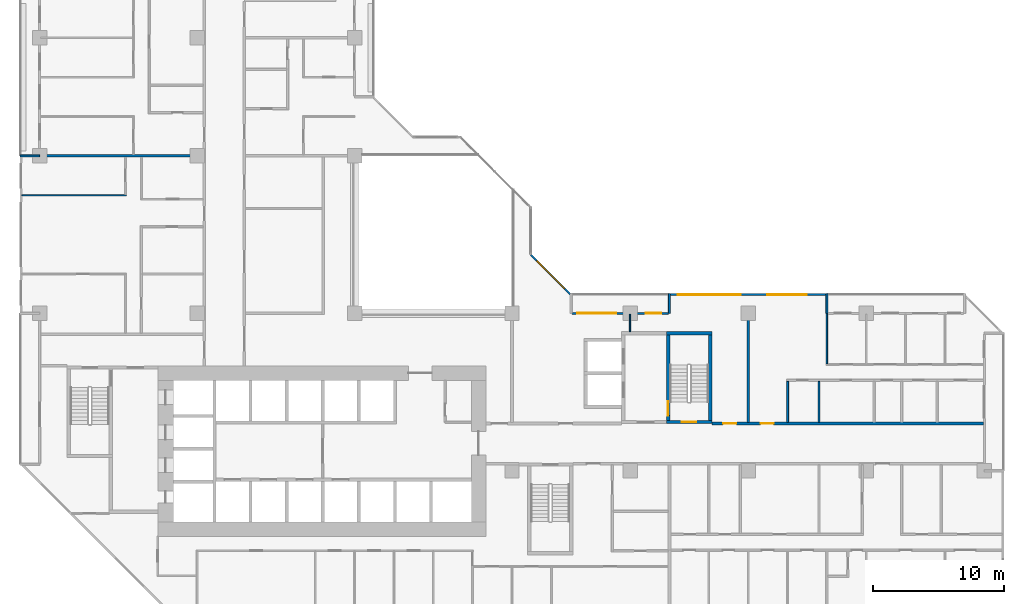
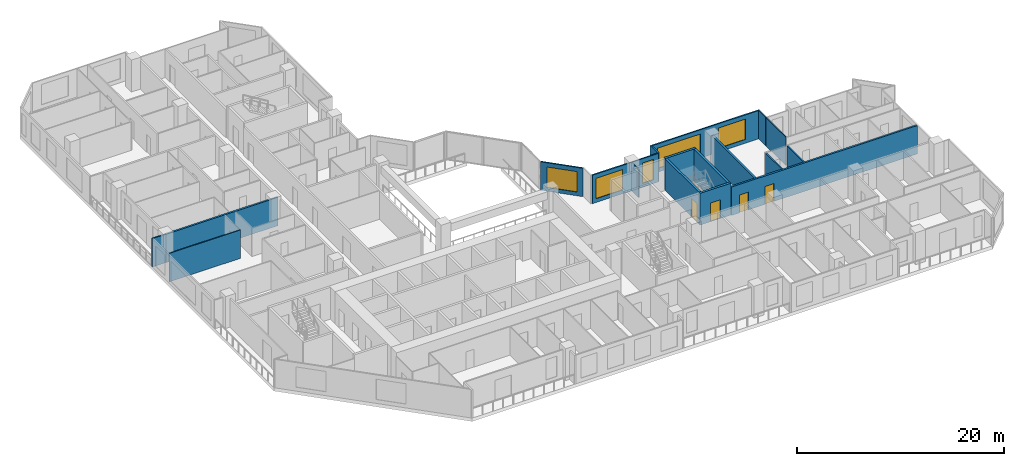
# One storey, part 8 of 16: 18 walls, 5 windows, 4 doors, 9 openings.
"""IFC4 building model written with IfcOpenShell, lengths in metres."""

from ifc_helpers import new_model, si_unit, direction, frame, frame_2d, origin, place, context, subcontext, project, spatial, rectangle, extrude, material, layer, layer_set, type_object, element, fill, save


model = new_model("IFC4")

# Units and contexts
model_context = context("Model", 3, precision=1e-05, world=origin(), true_north=direction((0.0, 1.0)))
body_context = subcontext(model_context, "Body", "Model", "MODEL_VIEW")
ifc_project = project(units=[si_unit("LENGTHUNIT", "METRE"), si_unit("AREAUNIT", "SQUARE_METRE"), si_unit("VOLUMEUNIT", "CUBIC_METRE"), si_unit("PLANEANGLEUNIT", "RADIAN"), si_unit("MASSUNIT", "GRAM", prefix="KILO")], contexts=[model_context])

# Site, building, storey
site_placement = place(None, origin())
site = spatial("IfcSite", under=ifc_project, at=site_placement, CompositionType="ELEMENT")
building_placement = place(site_placement, origin())
building = spatial("IfcBuilding", under=site, at=building_placement, Name="Chenar Terraces", CompositionType="ELEMENT")
storey_placement = place(building_placement, frame((0.0, 0.0, 75.14990234375)))
storey = spatial("IfcBuildingStorey", under=building, at=storey_placement, Name="L16", CompositionType="ELEMENT", Elevation=75.14990234375)

# Wall, opening, door
ifc_material_1 = material(Name="Concrete C70/85", Category="concrete")
ifc_layer_1 = layer(ifc_material_1, 0.25)
ifc_layer_set_1 = layer_set([ifc_layer_1], Name="Concrete C70/85")
wall_type_1 = type_object("IfcWallType", Name="Core wall 250 Concrete C70/85", PredefinedType="SHEAR", material=ifc_layer_set_1)
wall_1_placement = place(storey_placement, frame((47.77490234375, 15.72509765625, 0.0), z_axis=(0.0, 0.0, 1.0), x_axis=(1.0, 0.0, 0.0)))
wall_1 = element("IfcWall", 1, at=wall_1_placement, inside=storey, type_object=wall_type_1, Name="Core wall ST3_S L16", PredefinedType="SHEAR", context=body_context, shape_type="SweptSolid", body=[
    extrude(rectangle(XDim=3.4501953125, YDim=0.25, at=frame_2d((1.72509765625, 0.0))), origin(), (0.0, 0.0, 1.0), 3.75),
])
opening_1_placement = place(wall_1_placement, frame((1.175048828125, 0.0, 0.0)))
opening_1 = element("IfcOpeningElement", 2, at=opening_1_placement, cuts=wall_1, Name="Opening DL16-C8", PredefinedType="OPENING", context=body_context, shape_type="SweptSolid", body=[
    extrude(rectangle(XDim=1.10009765625, YDim=2.199951171875, at=frame_2d((0.550048828125, 1.10009765625))), frame((0.0, 0.135009765625, 0.0), z_axis=(0.0, -1.0, 0.0), x_axis=(1.0, 0.0, 0.0)), (0.0, 0.0, 1.0), 0.27001953125),
])
ifc_material_2 = material(Name="Steel-framed fire-resisting door leaf", Category="steel")
door_type_1 = type_object("IfcDoorType", Name="Stair fire door FD60 1100 x 2200", OperationType="SINGLE_SWING_LEFT", PredefinedType="DOOR", material=ifc_material_2)
door_1_placement = place(opening_1_placement, frame((1.10009765625, 0.0, 0.0), z_axis=(0.0, 0.0, 1.0), x_axis=(-1.0, 0.0, 0.0)))
door_1 = element("IfcDoor", 3, at=door_1_placement, inside=storey, type_object=door_type_1, Name="Stair door DL16-C8", OperationType="SINGLE_SWING_LEFT", OverallHeight=2.199951171875, OverallWidth=1.10009765625, PredefinedType="DOOR", context=body_context, shape_type="SweptSolid", body=[
    extrude(rectangle(XDim=1.10009765625, YDim=2.199951171875, at=frame_2d((0.550048828125, 1.10009765625))), frame((0.0, 0.02490234375, 0.0), z_axis=(0.0, -1.0, 0.0), x_axis=(1.0, 0.0, 0.0)), (0.0, 0.0, 1.0), 0.050048828125),
])
fill(opening_1, door_1)

# Wall
wall_2_placement = place(storey_placement, frame((47.77490234375, 22.47509765625, 0.0), z_axis=(0.0, 0.0, 1.0), x_axis=(1.0, 0.0, 0.0)))
element("IfcWall", 4, at=wall_2_placement, inside=storey, type_object=wall_type_1, Name="Core wall ST3_N L16", PredefinedType="SHEAR", context=body_context, shape_type="SweptSolid", body=[
    extrude(rectangle(XDim=3.4501953125, YDim=0.25, at=frame_2d((1.72509765625, 0.0))), origin(), (0.0, 0.0, 1.0), 3.75),
])

# Wall, opening, door
wall_3_placement = place(storey_placement, frame((47.89990234375, 15.85009765625, 0.0), z_axis=(0.0, 0.0, 1.0), x_axis=(0.0, 1.0, 0.0)))
wall_3 = element("IfcWall", 5, at=wall_3_placement, inside=storey, type_object=wall_type_1, Name="Core wall ST3_W L16", PredefinedType="SHEAR", context=body_context, shape_type="SweptSolid", body=[
    extrude(rectangle(XDim=6.5, YDim=0.25, at=frame_2d((3.25, 0.0))), origin(), (0.0, 0.0, 1.0), 3.75),
])
opening_2_placement = place(wall_3_placement, frame((0.35009765625, 0.0, 0.0)))
opening_2 = element("IfcOpeningElement", 6, at=opening_2_placement, cuts=wall_3, Name="Opening DL16-C11", PredefinedType="OPENING", context=body_context, shape_type="SweptSolid", body=[
    extrude(rectangle(XDim=1.10009765625, YDim=2.199951171875, at=frame_2d((0.550048828125, 1.10009765625))), frame((0.0, 0.135009765625, 0.0), z_axis=(0.0, -1.0, 0.0), x_axis=(1.0, 0.0, 0.0)), (0.0, 0.0, 1.0), 0.27001953125),
])
door_2_placement = place(opening_2_placement, frame((1.10009765625, 0.0, 0.0), z_axis=(0.0, 0.0, 1.0), x_axis=(-1.0, 0.0, 0.0)))
door_2 = element("IfcDoor", 7, at=door_2_placement, inside=storey, type_object=door_type_1, Name="Stair door DL16-C11", OperationType="SINGLE_SWING_RIGHT", OverallHeight=2.199951171875, OverallWidth=1.10009765625, PredefinedType="DOOR", context=body_context, shape_type="SweptSolid", body=[
    extrude(rectangle(XDim=1.10009765625, YDim=2.199951171875, at=frame_2d((0.550048828125, 1.10009765625))), frame((0.0, 0.02490234375, 0.0), z_axis=(0.0, -1.0, 0.0), x_axis=(1.0, 0.0, 0.0)), (0.0, 0.0, 1.0), 0.050048828125),
])
fill(opening_2, door_2)

# Wall
wall_4_placement = place(storey_placement, frame((51.10009765625, 15.85009765625, 0.0), z_axis=(0.0, 0.0, 1.0), x_axis=(0.0, 1.0, 0.0)))
element("IfcWall", 8, at=wall_4_placement, inside=storey, type_object=wall_type_1, Name="Core wall ST3_E L16", PredefinedType="SHEAR", context=body_context, shape_type="SweptSolid", body=[
    extrude(rectangle(XDim=6.5, YDim=0.25, at=frame_2d((3.25, 0.0))), origin(), (0.0, 0.0, 1.0), 3.75),
])

# Wall, openings, doors
ifc_material_3 = material(Name="Gypsum board on steel studs with fire boards", Category="steel")
ifc_layer_2 = layer(ifc_material_3, 0.199951171875)
ifc_layer_set_2 = layer_set([ifc_layer_2], Name="Gypsum board on steel studs with fire boards")
wall_type_2 = type_object("IfcWallType", Name="Corridor wall 200", PredefinedType="PARTITIONING", material=ifc_layer_set_2)
wall_5_placement = place(storey_placement, frame((51.22509765625, 15.60009765625, 0.0), z_axis=(0.0, 0.0, 1.0), x_axis=(1.0, 0.0, 0.0)))
wall_5 = element("IfcWall", 9, at=wall_5_placement, inside=storey, type_object=wall_type_2, Name="Partition L16-079", PredefinedType="PARTITIONING", context=body_context, shape_type="SweptSolid", body=[
    extrude(rectangle(XDim=20.700927734375, YDim=0.199951171875, at=frame_2d((10.3505859375, 0.0))), origin(), (0.0, 0.0, 1.0), 3.35009765625),
])
opening_3_placement = place(wall_5_placement, frame((3.72509765625, 0.0, 0.0)))
opening_3 = element("IfcOpeningElement", 10, at=opening_3_placement, cuts=wall_5, Name="Opening DL16-10", PredefinedType="OPENING", context=body_context, shape_type="SweptSolid", body=[
    extrude(rectangle(XDim=1.0, YDim=2.10009765625, at=frame_2d((0.5, 1.050048828125))), frame((0.0, 0.10986328125, 0.0), z_axis=(0.0, -1.0, 0.0), x_axis=(1.0, 0.0, 0.0)), (0.0, 0.0, 1.0), 0.219970703125),
])
opening_4_placement = place(wall_5_placement, frame((0.875, 0.0, 0.0)))
opening_4 = element("IfcOpeningElement", 11, at=opening_4_placement, cuts=wall_5, Name="Opening DL16-55", PredefinedType="OPENING", context=body_context, shape_type="SweptSolid", body=[
    extrude(rectangle(XDim=1.0, YDim=2.10009765625, at=frame_2d((0.5, 1.050048828125))), frame((0.0, 0.10986328125, 0.0), z_axis=(0.0, -1.0, 0.0), x_axis=(1.0, 0.0, 0.0)), (0.0, 0.0, 1.0), 0.219970703125),
])
ifc_material_4 = material(Name="Steel-framed fire-resisting door leaf", Category="steel")
door_type_2 = type_object("IfcDoorType", Name="Fire door FD30S 1000 x 2100", OperationType="SINGLE_SWING_LEFT", PredefinedType="DOOR", material=ifc_material_4)
door_3_placement = place(opening_3_placement, origin())
door_3 = element("IfcDoor", 12, at=door_3_placement, inside=storey, type_object=door_type_2, Name="Door DL16-10", OperationType="SINGLE_SWING_LEFT", OverallHeight=2.10009765625, OverallWidth=1.0, PredefinedType="DOOR", context=body_context, shape_type="SweptSolid", body=[
    extrude(rectangle(XDim=1.0, YDim=2.10009765625, at=frame_2d((0.5, 1.050048828125))), frame((0.0, 0.02490234375, 0.0), z_axis=(0.0, -1.0, 0.0), x_axis=(1.0, 0.0, 0.0)), (0.0, 0.0, 1.0), 0.050048828125),
])
fill(opening_3, door_3)
door_4_placement = place(opening_4_placement, origin())
door_4 = element("IfcDoor", 13, at=door_4_placement, inside=storey, type_object=door_type_2, Name="Door DL16-55", OperationType="SINGLE_SWING_RIGHT", OverallHeight=2.10009765625, OverallWidth=1.0, PredefinedType="DOOR", context=body_context, shape_type="SweptSolid", body=[
    extrude(rectangle(XDim=1.0, YDim=2.10009765625, at=frame_2d((0.5, 1.050048828125))), frame((0.0, 0.02490234375, 0.0), z_axis=(0.0, -1.0, 0.0), x_axis=(1.0, 0.0, 0.0)), (0.0, 0.0, 1.0), 0.050048828125),
])
fill(opening_4, door_4)

# Wall, openings, windows
ifc_material_5 = material(Name="Aluminium framed glazing", Category="aluminium")
ifc_layer_3 = layer(ifc_material_5, 0.14990234375)
ifc_layer_set_3 = layer_set([ifc_layer_3], Name="Aluminium framed glazing")
wall_type_3 = type_object("IfcWallType", Name="Glazed flush facade wall 150", PredefinedType="SOLIDWALL", material=ifc_layer_set_3)
wall_6_placement = place(storey_placement, frame((59.925048828125, 25.425048828125, 0.0), z_axis=(0.0, 0.0, 1.0), x_axis=(-1.0, 0.0, 0.0)))
wall_6 = element("IfcWall", 14, at=wall_6_placement, inside=storey, type_object=wall_type_3, Name="Glazed flush facade wall", PredefinedType="SOLIDWALL", context=body_context, shape_type="SweptSolid", body=[
    extrude(rectangle(XDim=11.85009765625, YDim=0.14990234375, at=frame_2d((5.925048828125, 0.0))), origin(), (0.0, 0.0, 1.0), 3.35009765625),
])
opening_5_placement = place(wall_6_placement, frame((1.46240234375, 0.0, 0.449951171875)))
opening_5 = element("IfcOpeningElement", 15, at=opening_5_placement, cuts=wall_6, Name="Opening W300x240", PredefinedType="OPENING", context=body_context, shape_type="SweptSolid", body=[
    extrude(rectangle(XDim=3.0, YDim=2.39990234375, at=frame_2d((1.5, 1.199951171875))), frame((0.0, 0.0849609375, 0.0), z_axis=(0.0, -1.0, 0.0), x_axis=(1.0, 0.0, 0.0)), (0.0, 0.0, 1.0), 0.169921875),
])
opening_6_placement = place(wall_6_placement, frame((6.487548828125, 0.0, 0.449951171875)))
opening_6 = element("IfcOpeningElement", 16, at=opening_6_placement, cuts=wall_6, Name="Opening W480x240", PredefinedType="OPENING", context=body_context, shape_type="SweptSolid", body=[
    extrude(rectangle(XDim=4.800048828125, YDim=2.39990234375, at=frame_2d((2.39990234375, 1.199951171875))), frame((0.0, 0.0849609375, 0.0), z_axis=(0.0, -1.0, 0.0), x_axis=(1.0, 0.0, 0.0)), (0.0, 0.0, 1.0), 0.169921875),
])
ifc_material_6 = material(Name="Low emissivity double glazing, aluminium frame", Category="aluminium")
window_type_1 = type_object("IfcWindowType", Name="Fixed light 3000 x 2400", PartitioningType="SINGLE_PANEL", PredefinedType="WINDOW", material=ifc_material_6)
window_1_placement = place(opening_5_placement, origin())
window_1 = element("IfcWindow", 17, at=window_1_placement, inside=storey, type_object=window_type_1, Name="Window", OverallHeight=2.39990234375, OverallWidth=3.0, PartitioningType="SINGLE_PANEL", PredefinedType="WINDOW", context=body_context, shape_type="SweptSolid", body=[
    extrude(rectangle(XDim=3.0, YDim=2.39990234375, at=frame_2d((1.5, 1.199951171875))), frame((0.0, 0.030029296875, 0.0), z_axis=(0.0, -1.0, 0.0), x_axis=(1.0, 0.0, 0.0)), (0.0, 0.0, 1.0), 0.06005859375),
])
fill(opening_5, window_1)
ifc_material_7 = material(Name="Low emissivity double glazing, aluminium frame", Category="aluminium")
window_type_2 = type_object("IfcWindowType", Name="Fixed light 4800 x 2400", PartitioningType="SINGLE_PANEL", PredefinedType="WINDOW", material=ifc_material_7)
window_2_placement = place(opening_6_placement, origin())
window_2 = element("IfcWindow", 18, at=window_2_placement, inside=storey, type_object=window_type_2, Name="Window", OverallHeight=2.39990234375, OverallWidth=4.800048828125, PartitioningType="SINGLE_PANEL", PredefinedType="WINDOW", context=body_context, shape_type="SweptSolid", body=[
    extrude(rectangle(XDim=4.800048828125, YDim=2.39990234375, at=frame_2d((2.39990234375, 1.199951171875))), frame((0.0, 0.030029296875, 0.0), z_axis=(0.0, -1.0, 0.0), x_axis=(1.0, 0.0, 0.0)), (0.0, 0.0, 1.0), 0.06005859375),
])
fill(opening_6, window_2)

ifc_material_8 = material(Name="Aluminium framed glazing", Category="aluminium")
ifc_layer_4 = layer(ifc_material_8, 0.14990234375)
ifc_layer_set_4 = layer_set([ifc_layer_4], Name="Aluminium framed glazing")
wall_type_4 = type_object("IfcWallType", Name="Glazed loggia back wall 150", PredefinedType="SOLIDWALL", material=ifc_layer_set_4)
wall_7_placement = place(storey_placement, frame((47.925048828125, 24.0, 0.0), z_axis=(0.0, 0.0, 1.0), x_axis=(-1.0, 0.0, 0.0)))
wall_7 = element("IfcWall", 19, at=wall_7_placement, inside=storey, type_object=wall_type_4, Name="Glazed loggia back wall", PredefinedType="SOLIDWALL", context=body_context, shape_type="SweptSolid", body=[
    extrude(rectangle(XDim=7.35009765625, YDim=0.14990234375, at=frame_2d((3.675048828125, 0.0))), origin(), (0.0, 0.0, 1.0), 3.35009765625),
])
opening_7_placement = place(wall_7_placement, frame((0.53759765625, 0.0, 0.449951171875)))
opening_7 = element("IfcOpeningElement", 20, at=opening_7_placement, cuts=wall_7, Name="Opening W120x240", PredefinedType="OPENING", context=body_context, shape_type="SweptSolid", body=[
    extrude(rectangle(XDim=1.199951171875, YDim=2.39990234375, at=frame_2d((0.60009765625, 1.199951171875))), frame((0.0, 0.0849609375, 0.0), z_axis=(0.0, -1.0, 0.0), x_axis=(1.0, 0.0, 0.0)), (0.0, 0.0, 1.0), 0.169921875),
])
opening_8_placement = place(wall_7_placement, frame((3.96240234375, 0.0, 0.449951171875)))
opening_8 = element("IfcOpeningElement", 21, at=opening_8_placement, cuts=wall_7, Name="Opening W300x240", PredefinedType="OPENING", context=body_context, shape_type="SweptSolid", body=[
    extrude(rectangle(XDim=3.0, YDim=2.39990234375, at=frame_2d((1.5, 1.199951171875))), frame((0.0, 0.0849609375, 0.0), z_axis=(0.0, -1.0, 0.0), x_axis=(1.0, 0.0, 0.0)), (0.0, 0.0, 1.0), 0.169921875),
])
ifc_material_9 = material(Name="Low emissivity double glazing, aluminium frame", Category="aluminium")
window_type_3 = type_object("IfcWindowType", Name="Fixed light 1200 x 2400", PartitioningType="SINGLE_PANEL", PredefinedType="WINDOW", material=ifc_material_9)
window_3_placement = place(opening_7_placement, origin())
window_3 = element("IfcWindow", 22, at=window_3_placement, inside=storey, type_object=window_type_3, Name="Window", OverallHeight=2.39990234375, OverallWidth=1.199951171875, PartitioningType="SINGLE_PANEL", PredefinedType="WINDOW", context=body_context, shape_type="SweptSolid", body=[
    extrude(rectangle(XDim=1.199951171875, YDim=2.39990234375, at=frame_2d((0.60009765625, 1.199951171875))), frame((0.0, 0.030029296875, 0.0), z_axis=(0.0, -1.0, 0.0), x_axis=(1.0, 0.0, 0.0)), (0.0, 0.0, 1.0), 0.06005859375),
])
fill(opening_7, window_3)
window_4_placement = place(opening_8_placement, origin())
window_4 = element("IfcWindow", 23, at=window_4_placement, inside=storey, type_object=window_type_1, Name="Window", OverallHeight=2.39990234375, OverallWidth=3.0, PartitioningType="SINGLE_PANEL", PredefinedType="WINDOW", context=body_context, shape_type="SweptSolid", body=[
    extrude(rectangle(XDim=3.0, YDim=2.39990234375, at=frame_2d((1.5, 1.199951171875))), frame((0.0, 0.030029296875, 0.0), z_axis=(0.0, -1.0, 0.0), x_axis=(1.0, 0.0, 0.0)), (0.0, 0.0, 1.0), 0.06005859375),
])
fill(opening_8, window_4)

# Walls
ifc_material_10 = material(Name="Gypsum board on steel studs", Category="steel")
ifc_layer_5 = layer(ifc_material_10, 0.10009765625)
ifc_layer_set_5 = layer_set([ifc_layer_5], Name="Gypsum board on steel studs")
wall_type_5 = type_object("IfcWallType", Name="Gypsum partition 100", PredefinedType="PARTITIONING", material=ifc_layer_set_5)
wall_8_placement = place(storey_placement, frame((-1.35009765625, 33.0, 0.0), z_axis=(0.0, 0.0, 1.0), x_axis=(1.0, 0.0, 0.0)))
element("IfcWall", 24, at=wall_8_placement, inside=storey, type_object=wall_type_5, Name="Partition L16-004", PredefinedType="PARTITIONING", context=body_context, shape_type="SweptSolid", body=[
    extrude(rectangle(XDim=7.9501953125, YDim=0.10009765625, at=frame_2d((3.97509765625, 0.0))), origin(), (0.0, 0.0, 1.0), 3.35009765625),
])
wall_9_placement = place(storey_placement, frame((45.0, 22.60009765625, 0.0), z_axis=(0.0, 0.0, 1.0), x_axis=(0.0, 1.0, 0.0)))
element("IfcWall", 25, at=wall_9_placement, inside=storey, type_object=wall_type_5, Name="Partition L16-072", PredefinedType="PARTITIONING", context=body_context, shape_type="SweptSolid", body=[
    extrude(rectangle(XDim=1.325927734375, YDim=0.10009765625, at=frame_2d((0.6630859375, 0.0))), origin(), (0.0, 0.0, 1.0), 3.35009765625),
])
wall_10_placement = place(storey_placement, frame((60.0, 20.14990234375, 0.0), z_axis=(0.0, 0.0, 1.0), x_axis=(0.0, 1.0, 0.0)))
element("IfcWall", 26, at=wall_10_placement, inside=storey, type_object=wall_type_5, Name="Partition L16-090", PredefinedType="PARTITIONING", context=body_context, shape_type="SweptSolid", body=[
    extrude(rectangle(XDim=3.85009765625, YDim=0.10009765625, at=frame_2d((1.925048828125, 0.0))), origin(), (0.0, 0.0, 1.0), 3.35009765625),
])
ifc_material_11 = material(Name="Terracotta cladding on insulated backing", Category="masonry")
ifc_layer_6 = layer(ifc_material_11, 0.14990234375)
ifc_layer_set_6 = layer_set([ifc_layer_6], Name="Terracotta cladding on insulated backing")
wall_type_6 = type_object("IfcWallType", Name="Loggia return wall 150", PredefinedType="SOLIDWALL", material=ifc_layer_set_6)
for number, where, z_axis, x_axis, name in (
    (27, (60.0, 25.5, 0.0), (0.0, 0.0, 1.0), (0.0, -1.0, 0.0), "Loggia return wall"),
    (28, (48.0, 25.5, 0.0), (0.0, 0.0, 1.0), (0.0, -1.0, 0.0), "Loggia return wall"),
    (29, (-1.5, 36.0, 0.0), (0.0, 0.0, 1.0), (1.0, 0.0, 0.0), "Loggia return wall"),
):
    element("IfcWall", number, at=place(storey_placement, frame(where, z_axis=z_axis, x_axis=x_axis)), inside=storey, type_object=wall_type_6, Name=name, PredefinedType="SOLIDWALL", context=body_context, shape_type="SweptSolid", body=[
        extrude(rectangle(XDim=1.5, YDim=0.14990234375, at=frame_2d((0.75, 0.0))), origin(), (0.0, 0.0, 1.0), 3.35009765625),
    ])

# Wall, opening, window
ifc_material_12 = material(Name="Terracotta cladding on insulated backing", Category="masonry")
ifc_layer_7 = layer(ifc_material_12, 0.14990234375)
ifc_layer_set_7 = layer_set([ifc_layer_7], Name="Terracotta cladding on insulated backing")
wall_type_7 = type_object("IfcWallType", Name="Terracotta rainscreen wall 150", PredefinedType="SOLIDWALL", material=ifc_layer_set_7)
wall_11_placement = place(storey_placement, frame((40.447021484375, 25.447021484375, 0.0), z_axis=(0.0, 0.0, 1.0), x_axis=(-0.707106781187, 0.707106781187, 0.0)))
wall_11 = element("IfcWall", 30, at=wall_11_placement, inside=storey, type_object=wall_type_7, Name="Terracotta rainscreen wall", PredefinedType="SOLIDWALL", context=body_context, shape_type="SweptSolid", body=[
    extrude(rectangle(XDim=4.24267578125, YDim=0.14990234375, at=frame_2d((2.121337890625, 0.0))), origin(), (0.0, 0.0, 1.0), 3.35009765625),
])
opening_9_placement = place(wall_11_placement, frame((0.621337890625, 0.0, 0.449951171875)))
opening_9 = element("IfcOpeningElement", 31, at=opening_9_placement, cuts=wall_11, Name="Opening W300x240", PredefinedType="OPENING", context=body_context, shape_type="SweptSolid", body=[
    extrude(rectangle(XDim=3.0, YDim=2.39990234375, at=frame_2d((1.5, 1.199951171875))), frame((0.0, 0.0849609375, 0.0), z_axis=(0.0, -1.0, 0.0), x_axis=(1.0, 0.0, 0.0)), (0.0, 0.0, 1.0), 0.169921875),
])
window_5_placement = place(opening_9_placement, origin())
window_5 = element("IfcWindow", 32, at=window_5_placement, inside=storey, type_object=window_type_1, Name="Window", OverallHeight=2.39990234375, OverallWidth=3.0, PartitioningType="SINGLE_PANEL", PredefinedType="WINDOW", context=body_context, shape_type="SweptSolid", body=[
    extrude(rectangle(XDim=3.0, YDim=2.39990234375, at=frame_2d((1.5, 1.199951171875))), frame((0.0, 0.030029296875, 0.0), z_axis=(0.0, -1.0, 0.0), x_axis=(1.0, 0.0, 0.0)), (0.0, 0.0, 1.0), 0.06005859375),
])
fill(opening_9, window_5)

# Walls
ifc_material_13 = material(Name="Twin gypsum board on steel studs with mineral wool", Category="steel")
ifc_layer_8 = layer(ifc_material_13, 0.199951171875)
ifc_layer_set_8 = layer_set([ifc_layer_8], Name="Twin gypsum board on steel studs with mineral wool")
wall_type_8 = type_object("IfcWallType", Name="Unit demising wall 200", PredefinedType="PARTITIONING", material=ifc_layer_set_8)
wall_12_placement = place(storey_placement, frame((0.0, 36.0, 0.0), z_axis=(0.0, 0.0, 1.0), x_axis=(1.0, 0.0, 0.0)))
element("IfcWall", 33, at=wall_12_placement, inside=storey, type_object=wall_type_8, Name="Partition L16-005", PredefinedType="PARTITIONING", context=body_context, shape_type="SweptSolid", body=[
    extrude(rectangle(XDim=12.449951171875, YDim=0.199951171875, at=frame_2d((6.22509765625, 0.0))), origin(), (0.0, 0.0, 1.0), 3.35009765625),
])
wall_13_placement = place(storey_placement, frame((54.0, 15.699951171875, 0.0), z_axis=(0.0, 0.0, 1.0), x_axis=(0.0, 1.0, 0.0)))
element("IfcWall", 34, at=wall_13_placement, inside=storey, type_object=wall_type_8, Name="Partition L16-082", PredefinedType="PARTITIONING", context=body_context, shape_type="SweptSolid", body=[
    extrude(rectangle(XDim=8.300048828125, YDim=0.199951171875, at=frame_2d((4.14990234375, 0.0))), origin(), (0.0, 0.0, 1.0), 3.35009765625),
])
ifc_material_14 = material(Name="Moisture-resistant gypsum board on steel studs", Category="steel")
ifc_layer_9 = layer(ifc_material_14, 0.14990234375)
ifc_layer_set_9 = layer_set([ifc_layer_9], Name="Moisture-resistant gypsum board on steel studs")
wall_type_9 = type_object("IfcWallType", Name="Wet-room partition 150", PredefinedType="PARTITIONING", material=ifc_layer_set_9)
for number, where, z_axis, x_axis, name in (
    (35, (57.0, 15.699951171875, 0.0), (0.0, 0.0, 1.0), (0.0, 1.0, 0.0), "Partition L16-085"),
    (36, (59.39990234375, 15.699951171875, 0.0), (0.0, 0.0, 1.0), (0.0, 1.0, 0.0), "Partition L16-087"),
):
    element("IfcWall", number, at=place(storey_placement, frame(where, z_axis=z_axis, x_axis=x_axis)), inside=storey, type_object=wall_type_9, Name=name, PredefinedType="PARTITIONING", context=body_context, shape_type="SweptSolid", body=[
        extrude(rectangle(XDim=3.125, YDim=0.14990234375, at=frame_2d((1.5625, 0.0))), origin(), (0.0, 0.0, 1.0), 3.35009765625),
    ])

save(model, "model.ifc")
